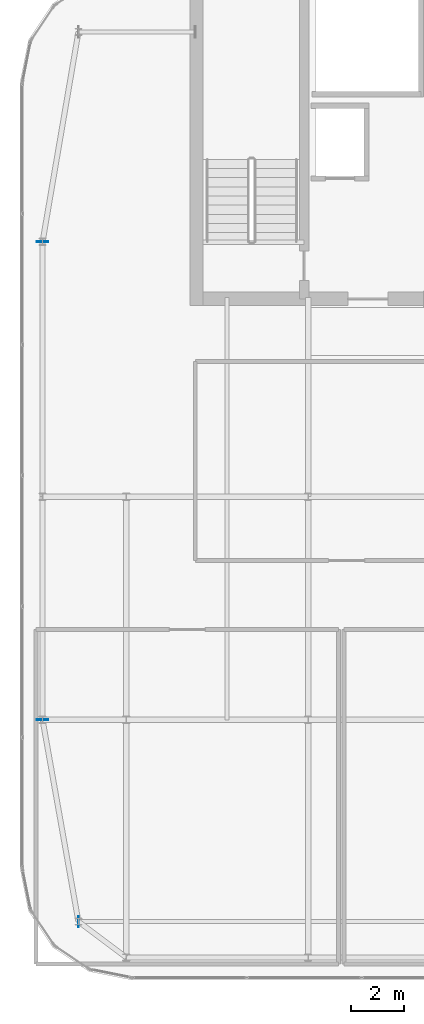
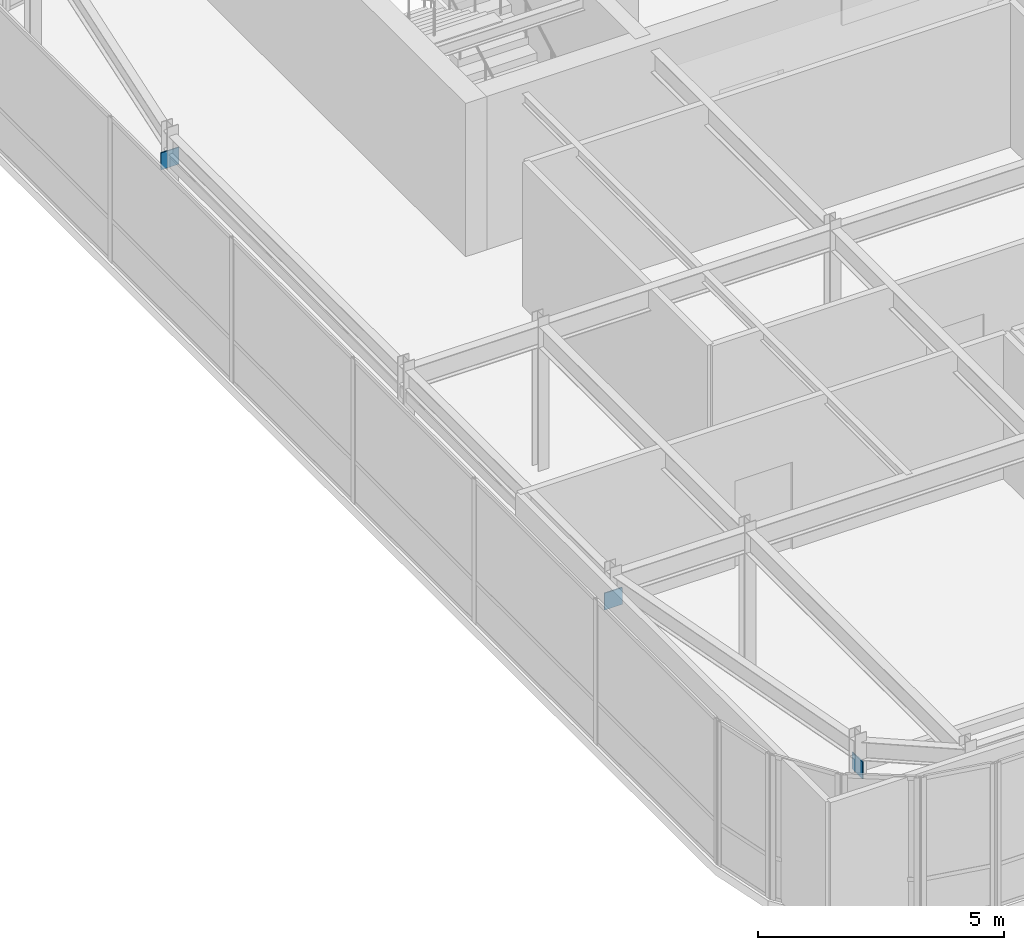
# One storey, part 31 of 36: 3 plates.
"""IFC4 building model written with IfcOpenShell, lengths in metres."""

import ifcopenshell
import ifcopenshell.guid

model = None  # the IFC model being written
_history = None  # IfcOwnerHistory: only IFC2X3 demands one
_inside = {}  # id of a spatial element -> (the spatial element, [elements in it])
_under = {}  # id of a project, library or spatial element -> (it, [spatial elements below it])
_declared = {}  # id of a project -> (the project, [libraries it declares])
_typed = {}  # id of a type object -> (the type object, [elements of that type])
_made_of = {}  # id of a material, layer set ... -> (it, [elements and type objects made of it])


def new_model(schema):
    """Start an empty IFC model of exactly this schema.

    Asked for "IFC4X3", IfcOpenShell would pick the latest addendum, in which some entities
    have other attributes; the version numbers below select the first issue.
    IFC2X3 requires an IfcOwnerHistory on every rooted entity: one is made here for all.
    """
    global model, _history
    if schema == "IFC4X3":
        model = ifcopenshell.file(schema_version=(4, 3, 0, 0))
    else:
        model = ifcopenshell.file(schema=schema)
    _inside.clear()
    _under.clear()
    _declared.clear()
    _typed.clear()
    _made_of.clear()
    _history = None
    if model.schema == "IFC2X3":
        org = make("IfcOrganization", Name="unknown")
        user = make(
            "IfcPersonAndOrganization",
            ThePerson=make("IfcPerson", FamilyName="unknown"),
            TheOrganization=org,
        )
        app = make(
            "IfcApplication",
            ApplicationDeveloper=org,
            Version="unknown",
            ApplicationFullName="unknown",
            ApplicationIdentifier="unknown",
        )
        _history = make(
            "IfcOwnerHistory",
            OwningUser=user,
            OwningApplication=app,
            ChangeAction="ADDED",
            CreationDate=0,
        )
    return model


def make(cls, **values):
    """One entity of the class cls with the attributes given. An attribute that is None is left unset."""
    return model.create_entity(
        cls, **{name: value for name, value in values.items() if value is not None}
    )


def rooted(cls, **values):
    """An entity with a GlobalId (a new one), such as an element, a storey or a relation."""
    return make(cls, GlobalId=ifcopenshell.guid.new(), OwnerHistory=_history, **values)


def si_unit(unit_type, name, prefix=None):
    """IfcSIUnit, for example si_unit("LENGTHUNIT", "METRE", prefix="MILLI")."""
    return make("IfcSIUnit", UnitType=unit_type, Prefix=prefix, Name=name)


def assignment(units):
    """IfcUnitAssignment: the units of a project."""
    return None if units is None else make("IfcUnitAssignment", Units=units)


def point(xyz):
    """IfcCartesianPoint."""
    return None if xyz is None else make("IfcCartesianPoint", Coordinates=xyz)


def direction(xyz):
    """IfcDirection."""
    return None if xyz is None else make("IfcDirection", DirectionRatios=xyz)


def frame(location, z_axis=None, x_axis=None):
    """IfcAxis2Placement3D, a coordinate frame: its origin and axes. An axis left out is left unset."""
    return make(
        "IfcAxis2Placement3D",
        Location=point(location),
        Axis=direction(z_axis),
        RefDirection=direction(x_axis),
    )


def frame_2d(location, x_axis=None):
    """IfcAxis2Placement2D, a coordinate frame in the plane: its origin and x axis."""
    return make(
        "IfcAxis2Placement2D", Location=point(location), RefDirection=direction(x_axis)
    )


def origin():
    """The frame at (0, 0, 0) with its axes left unset."""
    return frame((0.0, 0.0, 0.0))


def origin_2d():
    """The frame at (0, 0) in the plane with its x axis left unset."""
    return frame_2d((0.0, 0.0))


def place(relative_to, where):
    """IfcLocalPlacement: puts the frame where relative to a parent placement (None: the world)."""
    return make(
        "IfcLocalPlacement", PlacementRelTo=relative_to, RelativePlacement=where
    )


def context(
    kind, dimensions, precision=None, world=None, true_north=None, identifier=None
):
    """IfcGeometricRepresentationContext, for example the 3D "Model" context."""
    return make(
        "IfcGeometricRepresentationContext",
        ContextIdentifier=identifier,
        ContextType=kind,
        CoordinateSpaceDimension=dimensions,
        Precision=precision,
        WorldCoordinateSystem=world,
        TrueNorth=true_north,
    )


def subcontext(parent, identifier, kind, view, scale=None):
    """IfcGeometricRepresentationSubContext, for example "Body" below "Model"."""
    return make(
        "IfcGeometricRepresentationSubContext",
        ContextIdentifier=identifier,
        ContextType=kind,
        ParentContext=parent,
        TargetScale=scale,
        TargetView=view,
    )


def project(units=None, contexts=None):
    """IfcProject with its units and contexts."""
    return rooted(
        "IfcProject",
        Name="project",
        RepresentationContexts=contexts,
        UnitsInContext=assignment(units),
    )


def spatial(cls, under=None, at=None, **own):
    """A site, building, storey or space (cls), placed at a placement, below another one or the project."""
    s = rooted(cls, ObjectPlacement=at, **own)
    if under is not None:
        _under.setdefault(under.id(), (under, []))[1].append(s)
    return s


def profile(cls, at=None, kind="AREA", **sizes):
    """A parametric profile (cls). Its sizes go by their IFC names, for example OverallWidth=200.0."""
    return make(cls, ProfileType=kind, Position=at, **sizes)


def rectangle(**sizes):
    """IfcRectangleProfileDef."""
    return profile("IfcRectangleProfileDef", **sizes)


def extrude(swept, where, along, depth):
    """IfcExtrudedAreaSolid: the profile swept, set in the frame where, extruded along a direction by depth."""
    return make(
        "IfcExtrudedAreaSolid",
        SweptArea=swept,
        Position=where,
        ExtrudedDirection=direction(along),
        Depth=depth,
    )


def shape(context_of_items, identifier, shape_type, items):
    """IfcShapeRepresentation: the items that make up one representation, for example the "Body"."""
    return make(
        "IfcShapeRepresentation",
        ContextOfItems=context_of_items,
        RepresentationIdentifier=identifier,
        RepresentationType=shape_type,
        Items=items,
    )


def source(mapping_origin, context_of_items, identifier, shape_type, items):
    """IfcRepresentationMap: a shape defined once, which mapped items show again and again."""
    return make(
        "IfcRepresentationMap",
        MappingOrigin=mapping_origin,
        MappedRepresentation=shape(context_of_items, identifier, shape_type, items),
    )


def transform(
    local_origin,
    x_axis=None,
    y_axis=None,
    z_axis=None,
    scale=None,
    scale2=None,
    scale3=None,
    uniform=True,
):
    """IfcCartesianTransformationOperator3D, or its non-uniform kind. x_axis, y_axis, z_axis: its Axis1, 2, 3."""
    if uniform:
        return make(
            "IfcCartesianTransformationOperator3D",
            Axis1=direction(x_axis),
            Axis2=direction(y_axis),
            LocalOrigin=point(local_origin),
            Scale=scale,
            Axis3=direction(z_axis),
        )
    return make(
        "IfcCartesianTransformationOperator3DnonUniform",
        Axis1=direction(x_axis),
        Axis2=direction(y_axis),
        LocalOrigin=point(local_origin),
        Scale=scale,
        Axis3=direction(z_axis),
        Scale2=scale2,
        Scale3=scale3,
    )


def mapped(mapping_source, mapping_target):
    """IfcMappedItem: shows the shape of a source again, moved by a transform."""
    return make(
        "IfcMappedItem", MappingSource=mapping_source, MappingTarget=mapping_target
    )


def material(Name=None, Category=None):
    """IfcMaterial."""
    return make("IfcMaterial", Name=Name, Category=Category)


def layer(
    of_material, thickness, ventilated=None, Name=None, Category=None, Priority=None
):
    """IfcMaterialLayer: one layer of a wall or slab, of a material (None: an air gap)."""
    return make(
        "IfcMaterialLayer",
        Material=of_material,
        LayerThickness=thickness,
        IsVentilated=ventilated,
        Name=Name,
        Category=Category,
        Priority=Priority,
    )


def layer_set(layers, Name=None):
    """IfcMaterialLayerSet."""
    return make("IfcMaterialLayerSet", MaterialLayers=layers, LayerSetName=Name)


def made_of(thing, what):
    """Note that an element or type object is made of a material, layer set ...; save() writes the relation."""
    if what is not None:
        _made_of.setdefault(what.id(), (what, []))[1].append(thing)
    return thing


def type_object(cls, material=None, **own):
    """A type object (cls), such as IfcWallType, which elements share."""
    return made_of(rooted(cls, **own), material)


def type_shapes(of_type, sources):
    """Give a type object the sources (RepresentationMaps) that its elements show as mapped items."""
    of_type.RepresentationMaps = sources


def element(
    cls,
    number,
    at=None,
    inside=None,
    cuts=None,
    type_object=None,
    material=None,
    context=None,
    identifier="Body",
    shape_type=None,
    held_by="IfcProductDefinitionShape",
    body=None,
    shapes=None,
    **own,
):
    """One element of the class cls, such as IfcWall. Its Tag is "e" and its number.

    at: its placement. inside: the storey or other place that contains it. cuts: it is an
    opening in that element (IfcRelVoidsElement). A single representation is given by context,
    identifier, shape_type and body (its items); several are given by shapes. held_by: the class
    of the entity that holds the representations. save() writes the other relations.
    """
    e = rooted(cls, Tag="e%d" % number, ObjectPlacement=at, **own)
    if body is not None:
        shapes = [shape(context, identifier, shape_type, body)]
    if shapes is not None:
        e.Representation = make(held_by, Representations=shapes)
    if inside is not None:
        _inside.setdefault(inside.id(), (inside, []))[1].append(e)
    if cuts is not None:
        rooted(
            "IfcRelVoidsElement", RelatingBuildingElement=cuts, RelatedOpeningElement=e
        )
    if type_object is not None:
        _typed.setdefault(type_object.id(), (type_object, []))[1].append(e)
    return made_of(e, material)


def aggregate(whole, parts):
    """IfcRelAggregates: a whole, such as a stair, and the parts it consists of."""
    return rooted("IfcRelAggregates", RelatingObject=whole, RelatedObjects=parts)


def save(model, path):
    """Write the relations noted so far, then the file.

    IfcRelAggregates (storeys below a building ...), IfcRelContainedInSpatialStructure (elements
    in a storey), IfcRelDefinesByType, IfcRelAssociatesMaterial and IfcRelDeclares: one each for
    every whole, place, type object, material and project.
    """
    for whole, parts in _under.values():
        aggregate(whole, parts)
    for where, things in _inside.values():
        rooted(
            "IfcRelContainedInSpatialStructure",
            RelatedElements=things,
            RelatingStructure=where,
        )
    for kind, things in _typed.values():
        rooted("IfcRelDefinesByType", RelatedObjects=things, RelatingType=kind)
    for what, things in _made_of.values():
        rooted("IfcRelAssociatesMaterial", RelatedObjects=things, RelatingMaterial=what)
    for by, libraries in _declared.values():
        rooted("IfcRelDeclares", RelatingContext=by, RelatedDefinitions=libraries)
    model.write(path)


model = new_model("IFC4")

# Units and contexts
model_context = context("Model", 3, precision=1e-05, world=origin(), true_north=direction((0.0, 1.0)))
body_context = subcontext(model_context, "Body", "Model", "MODEL_VIEW")
ifc_project = project(units=[si_unit("LENGTHUNIT", "METRE"), si_unit("AREAUNIT", "SQUARE_METRE"), si_unit("VOLUMEUNIT", "CUBIC_METRE"), si_unit("PLANEANGLEUNIT", "RADIAN"), si_unit("MASSUNIT", "GRAM", prefix="KILO")], contexts=[model_context])

# Site, building, storey
site_placement = place(None, origin())
site = spatial("IfcSite", under=ifc_project, at=site_placement, CompositionType="ELEMENT")
building_placement = place(site_placement, origin())
building = spatial("IfcBuilding", under=site, at=building_placement, Name="Tolvann Quenvar Hotel", CompositionType="ELEMENT")
storey_placement = place(building_placement, frame((0.0, 0.0, 302.35009765625)))
storey = spatial("IfcBuildingStorey", under=building, at=storey_placement, Name="L80", CompositionType="ELEMENT", Elevation=302.35009765625)

# Plates
ifc_material = material(Name="Steel Grade 350", Category="steel")
ifc_layer = layer(ifc_material, 0.02490234375)
ifc_layer_set = layer_set([ifc_layer], Name="Steel Grade 350")
plate_type = type_object("IfcPlateType", Name="PLT_ENDCAP_25", PredefinedType="SHEET", material=ifc_layer_set)
shared_shape_1 = source(origin(), body_context, "Body", "SweptSolid", [
    extrude(rectangle(XDim=0.02490234375, YDim=0.419921875, at=origin_2d()), origin(), (0.0, 0.0, 1.0), 0.419921875),
])
plate_placement = place(storey_placement, frame((5.800048828125, 8.39990234375, 2.719970703125), z_axis=(0.0, 0.0, 1.0), x_axis=(1.0, 0.0, 0.0)))
element("IfcPlate", 1, at=plate_placement, inside=storey, type_object=plate_type, Name="Crown Ring End Cap Plate EC-1 (L80-1-1)", PredefinedType="SHEET", context=body_context, shape_type="MappedRepresentation", body=[
    mapped(shared_shape_1, transform((0.0, 0.0, 0.0), x_axis=(1.0, 0.0, 0.0), y_axis=(0.0, 1.0, 0.0), z_axis=(0.0, 0.0, 1.0), scale=1.0)),
])
shared_shape_2 = source(origin(), body_context, "Body", "SweptSolid", [
    extrude(rectangle(XDim=0.419921875, YDim=0.02490234375, at=origin_2d()), origin(), (0.0, 0.0, 1.0), 0.419921875),
])
type_shapes(plate_type, [shared_shape_1, shared_shape_2])
for number, where, z_axis, x_axis, name in (
    (2, (4.449951171875, 16.0, 2.719970703125), (0.0, 0.0, 1.0), (1.0, 0.0, 0.0), "Crown Ring End Cap Plate EC-1 (L80-2-1)"),
    (3, (4.449951171875, 34.0, 2.719970703125), (0.0, 0.0, 1.0), (1.0, 0.0, 0.0), "Crown Ring End Cap Plate EC-1 (L80-2-2)"),
):
    element("IfcPlate", number, at=place(storey_placement, frame(where, z_axis=z_axis, x_axis=x_axis)), inside=storey, type_object=plate_type, Name=name, PredefinedType="SHEET", context=body_context, shape_type="MappedRepresentation", body=[
        mapped(shared_shape_2, transform((0.0, 0.0, 0.0), x_axis=(1.0, 0.0, 0.0), y_axis=(0.0, 1.0, 0.0), z_axis=(0.0, 0.0, 1.0), scale=1.0)),
    ])

save(model, "model.ifc")
